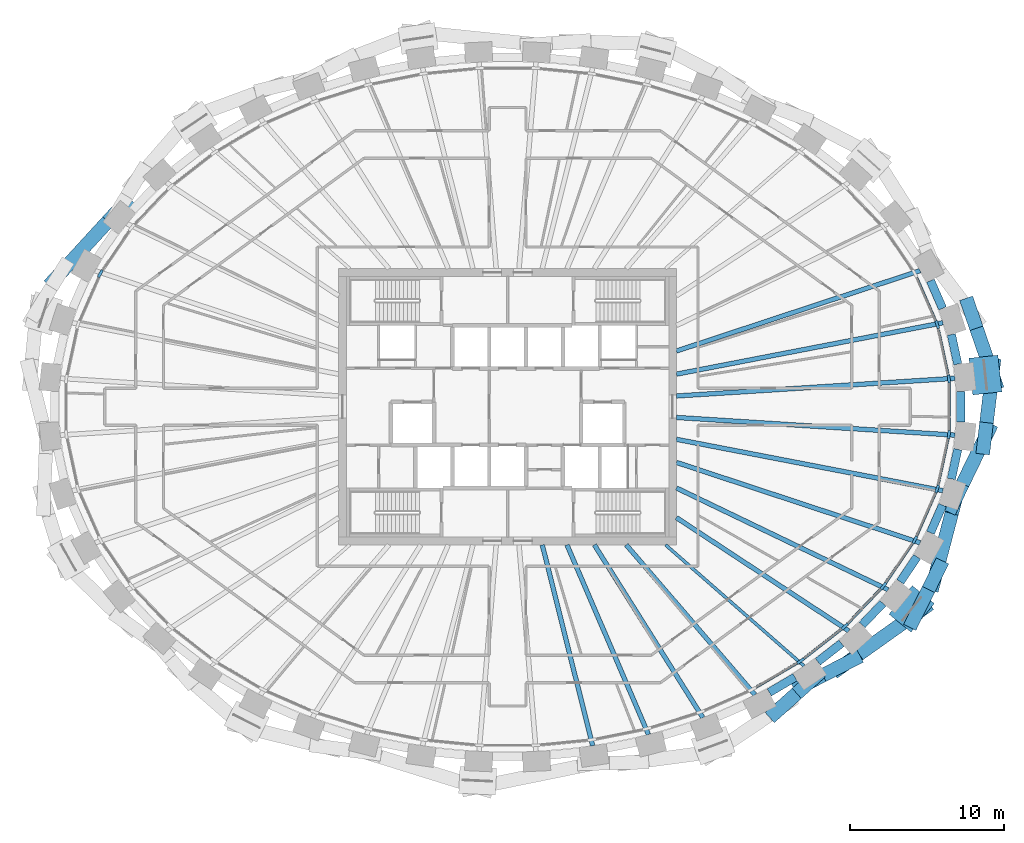
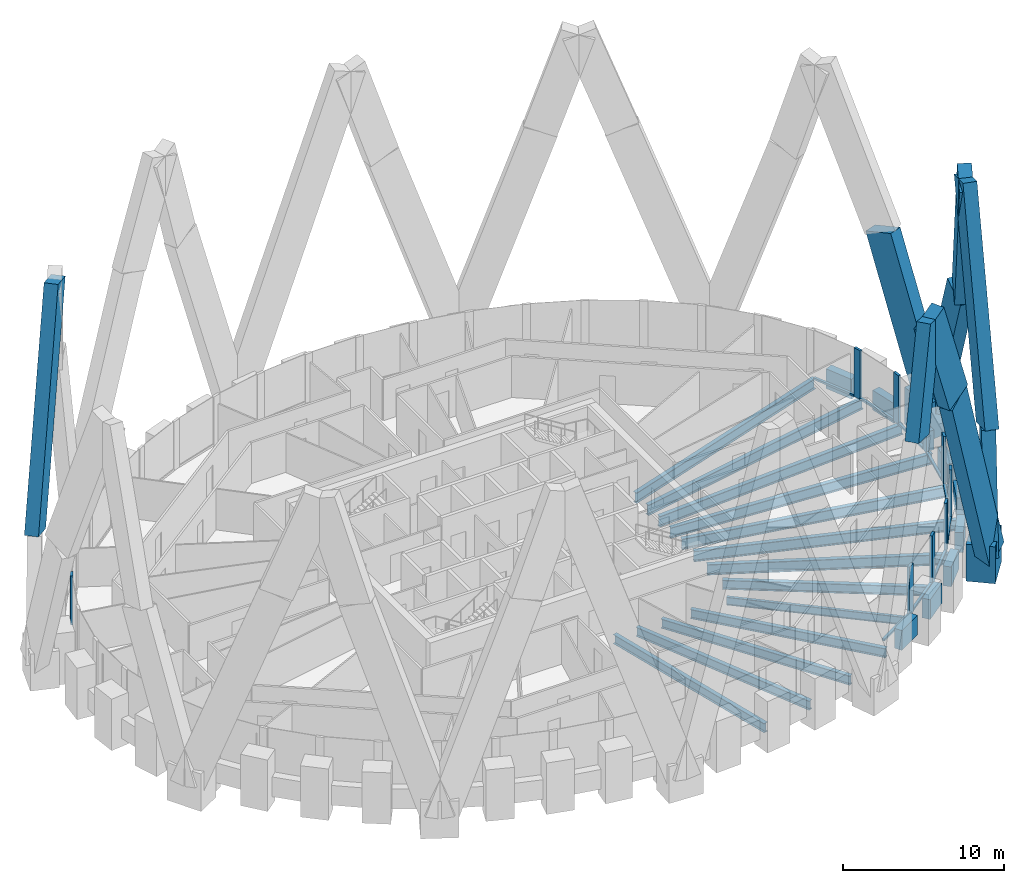
# One storey, part 3 of 13: 29 members, 22 beams, 1 element without a shape of its own.
"""IFC4 building model written with IfcOpenShell, lengths in metres."""

from ifc_helpers import new_model, si_unit, direction, frame, origin, origin_2d, place, context, subcontext, project, spatial, rectangle, i_section, extrude, source, transform, mapped, material, material_profile, profile_set, type_object, element, aggregate, save


model = new_model("IFC4")

# Units and contexts
model_context = context("Model", 3, precision=1e-05, world=origin(), true_north=direction((0.0, 1.0)))
body_context = subcontext(model_context, "Body", "Model", "MODEL_VIEW")
ifc_project = project(units=[si_unit("LENGTHUNIT", "METRE"), si_unit("AREAUNIT", "SQUARE_METRE"), si_unit("VOLUMEUNIT", "CUBIC_METRE"), si_unit("PLANEANGLEUNIT", "RADIAN"), si_unit("MASSUNIT", "GRAM", prefix="KILO")], contexts=[model_context])

# Site, building, storey
site_placement = place(None, origin())
site = spatial("IfcSite", under=ifc_project, at=site_placement, CompositionType="ELEMENT")
building_placement = place(site_placement, origin())
building = spatial("IfcBuilding", under=site, at=building_placement, Name="Embergate Tower", CompositionType="ELEMENT")
storey_placement = place(building_placement, frame((0.0, 0.0, 316.89990234375)))
storey = spatial("IfcBuildingStorey", under=building, at=storey_placement, Name="L74", CompositionType="ELEMENT", Elevation=316.89990234375)

# Beams
ifc_material_1 = material(Name="Concrete C50", Category="concrete")
ifc_material_profile_1 = material_profile(ifc_material_1, rectangle(XDim=0.550048828125, YDim=1.5, at=origin_2d()), Name="RC 550x1500")
ifc_profile_set_1 = profile_set([ifc_material_profile_1], Name="Concrete C50")
beam_type_1 = type_object("IfcBeamType", Name="Spandrel beam RC 550x1500 C50", PredefinedType="BEAM", material=ifc_profile_set_1)
shared_shape_1 = source(origin(), body_context, "Body", "SweptSolid", [
    extrude(rectangle(XDim=0.550048828125, YDim=1.5, at=origin_2d()), origin(), (0.0, 0.0, 1.0), 1.970947265625),
])
for number, where, z_axis, x_axis, name in (
    (1, (29.322998046875, 2.77587890625, 0.0), (-0.210078905476, 0.977684434505, 0.0), (-0.977684434505, -0.210078905476, 0.0), "SPN-L74-00"),
    (2, (28.908935546875, -4.702880859375, 0.0), (0.210078905476, 0.977684434505, 0.0), (-0.977684434505, 0.210078905476, 0.0), "SPN-L74-42"),
):
    element("IfcBeam", number, at=place(storey_placement, frame(where, z_axis=z_axis, x_axis=x_axis)), inside=storey, type_object=beam_type_1, Name=name, PredefinedType="BEAM", context=body_context, shape_type="MappedRepresentation", body=[
        mapped(shared_shape_1, transform((0.0, 0.0, 0.0))),
    ])
shared_shape_2 = source(origin(), body_context, "Body", "SweptSolid", [
    extrude(rectangle(XDim=0.550048828125, YDim=1.5, at=origin_2d()), origin(), (0.0, 0.0, 1.0), 1.96435546875),
])
for number, where, z_axis, x_axis, name in (
    (3, (28.3359375, 6.408935546875, 0.0), (-0.401555432353, 0.915834720213, 0.0), (-0.915834720213, -0.401555432353, 0.0), "SPN-L74-01"),
    (4, (27.547119140625, -8.2080078125, 0.0), (0.401555432353, 0.915834720213, 0.0), (-0.915834720213, 0.401555432353, 0.0), "SPN-L74-41"),
):
    element("IfcBeam", number, at=place(storey_placement, frame(where, z_axis=z_axis, x_axis=x_axis)), inside=storey, type_object=beam_type_1, Name=name, PredefinedType="BEAM", context=body_context, shape_type="MappedRepresentation", body=[
        mapped(shared_shape_2, transform((0.0, 0.0, 0.0))),
    ])
shared_shape_3 = source(origin(), body_context, "Body", "SweptSolid", [
    extrude(rectangle(XDim=0.550048828125, YDim=1.5, at=origin_2d()), origin(), (0.0, 0.0, 1.0), 1.960205078125),
])
beam_1_placement = place(storey_placement, frame((25.573974609375, -11.404052734375, 0.0), z_axis=(0.562207817231, 0.826995991674, 0.0), x_axis=(-0.826995991674, 0.562207817231, 0.0)))
element("IfcBeam", 5, at=beam_1_placement, inside=storey, type_object=beam_type_1, Name="SPN-L74-40", PredefinedType="BEAM", context=body_context, shape_type="MappedRepresentation", body=[
    mapped(shared_shape_3, transform((0.0, 0.0, 0.0))),
])
shared_shape_4 = source(origin(), body_context, "Body", "SweptSolid", [
    extrude(rectangle(XDim=0.550048828125, YDim=1.5, at=origin_2d()), origin(), (0.0, 0.0, 1.0), 1.955078125),
])
beam_2_placement = place(storey_placement, frame((23.093017578125, -14.218017578125, 0.0), z_axis=(0.690558902138, 0.723276159346, 0.0), x_axis=(-0.723276159346, 0.690558902138, 0.0)))
element("IfcBeam", 6, at=beam_2_placement, inside=storey, type_object=beam_type_1, Name="SPN-L74-39", PredefinedType="BEAM", context=body_context, shape_type="MappedRepresentation", body=[
    mapped(shared_shape_4, transform((0.0, 0.0, 0.0))),
])
shared_shape_5 = source(origin(), body_context, "Body", "SweptSolid", [
    extrude(rectangle(XDim=0.550048828125, YDim=1.5, at=origin_2d()), origin(), (0.0, 0.0, 1.0), 1.94873046875),
])
beam_3_placement = place(storey_placement, frame((20.2099609375, -16.611083984375, 0.0), z_axis=(0.78830540841, 0.615284148236, 0.0), x_axis=(-0.615284148236, 0.78830540841, 0.0)))
element("IfcBeam", 7, at=beam_3_placement, inside=storey, type_object=beam_type_1, Name="SPN-L74-38", PredefinedType="BEAM", context=body_context, shape_type="MappedRepresentation", body=[
    mapped(shared_shape_5, transform((0.0, 0.0, 0.0))),
])
shared_shape_6 = source(origin(), body_context, "Body", "SweptSolid", [
    extrude(rectangle(XDim=0.550048828125, YDim=1.5, at=origin_2d()), origin(), (0.0, 0.0, 1.0), 1.944580078125),
])
beam_4_placement = place(storey_placement, frame((17.044921875, -18.60888671875, 0.0), z_axis=(0.861947125599, 0.506998178174, 0.0), x_axis=(-0.506998178174, 0.861947125599, 0.0)))
element("IfcBeam", 8, at=beam_4_placement, inside=storey, type_object=beam_type_1, Name="SPN-L74-37", PredefinedType="BEAM", context=body_context, shape_type="MappedRepresentation", body=[
    mapped(shared_shape_6, transform((0.0, 0.0, 0.0))),
])
shared_shape_7 = source(origin(), body_context, "Body", "SweptSolid", [
    extrude(rectangle(XDim=0.550048828125, YDim=1.5, at=origin_2d()), origin(), (0.0, 0.0, 1.0), 1.97216796875),
])
beam_5_placement = place(storey_placement, frame((29.513916015625, -0.986083984375, 0.0), z_axis=(0.0, 1.0, 0.0), x_axis=(-1.0, 0.0, 0.0)))
element("IfcBeam", 9, at=beam_5_placement, inside=storey, type_object=beam_type_1, Name="SPN-L74-43", PredefinedType="BEAM", context=body_context, shape_type="MappedRepresentation", body=[
    mapped(shared_shape_7, transform((0.0, 0.0, 0.0))),
])
ifc_material_2 = material(Name="Steel Q355B", Category="steel")
ifc_material_profile_2 = material_profile(ifc_material_2, i_section(OverallWidth=0.300048828125, OverallDepth=0.800048828125, WebThickness=0.013916015625, FlangeThickness=0.02587890625, FilletRadius=0.028076171875, at=origin_2d()), Name="HN 800x300x14x26")
ifc_profile_set_2 = profile_set([ifc_material_profile_2], Name="Steel Q355 grade B")
beam_type_2 = type_object("IfcBeamType", Name="Radial girder HN 800x300x14x26", PredefinedType="BEAM", material=ifc_profile_set_2)
shared_shape_8 = source(origin(), body_context, "Body", "SweptSolid", [
    extrude(i_section(OverallWidth=0.300048828125, OverallDepth=0.800048828125, WebThickness=0.013916015625, FlangeThickness=0.02587890625, FilletRadius=0.028076171875, at=origin_2d()), origin(), (0.0, 0.0, 1.0), 18.175537109375),
])
for number, where, z_axis, x_axis, name in (
    (10, (29.138916015625, 1.85107421875, -0.599853515625), (-0.997988982715, -0.063387620085, 0.0), (0.063387620085, -0.997988982715, 0.0), "GIR-L74-00"),
    (11, (29.138916015625, -1.85107421875, -0.599853515625), (-0.997988982715, 0.063387620085, 0.0), (-0.063387620085, -0.997988982715, 0.0), "GIR-L74-43"),
):
    element("IfcBeam", number, at=place(storey_placement, frame(where, z_axis=z_axis, x_axis=x_axis)), inside=storey, type_object=beam_type_2, Name=name, PredefinedType="BEAM", context=body_context, shape_type="MappedRepresentation", body=[
        mapped(shared_shape_8, transform((0.0, 0.0, 0.0))),
    ])
shared_shape_9 = source(origin(), body_context, "Body", "SweptSolid", [
    extrude(i_section(OverallWidth=0.300048828125, OverallDepth=0.800048828125, WebThickness=0.013916015625, FlangeThickness=0.02587890625, FilletRadius=0.028076171875, at=origin_2d()), origin(), (0.0, 0.0, 1.0), 17.68017578125),
])
for number, where, z_axis, x_axis, name in (
    (12, (28.360107421875, 5.470947265625, -0.599853515625), (-0.981897251482, -0.189414327683, 0.0), (0.189414327683, -0.981897251482, 0.0), "GIR-L74-01"),
    (13, (28.360107421875, -5.470947265625, -0.599853515625), (-0.981897251482, 0.189414327683, 0.0), (-0.189414327683, -0.981897251482, 0.0), "GIR-L74-42"),
):
    element("IfcBeam", number, at=place(storey_placement, frame(where, z_axis=z_axis, x_axis=x_axis)), inside=storey, type_object=beam_type_2, Name=name, PredefinedType="BEAM", context=body_context, shape_type="MappedRepresentation", body=[
        mapped(shared_shape_9, transform((0.0, 0.0, 0.0))),
    ])
shared_shape_10 = source(origin(), body_context, "Body", "SweptSolid", [
    extrude(i_section(OverallWidth=0.300048828125, OverallDepth=0.800048828125, WebThickness=0.013916015625, FlangeThickness=0.02587890625, FilletRadius=0.028076171875, at=origin_2d()), origin(), (0.0, 0.0, 1.0), 16.713134765625),
])
for number, where, z_axis, x_axis, name in (
    (14, (26.8720703125, 8.863037109375, -0.599853515625), (-0.949676282781, -0.313233072843, 0.0), (0.313233072843, -0.949676282781, 0.0), "GIR-L74-02"),
    (15, (26.8720703125, -8.863037109375, -0.599853515625), (-0.949676282781, 0.313233072843, 0.0), (-0.313233072843, -0.949676282781, 0.0), "GIR-L74-41"),
):
    element("IfcBeam", number, at=place(storey_placement, frame(where, z_axis=z_axis, x_axis=x_axis)), inside=storey, type_object=beam_type_2, Name=name, PredefinedType="BEAM", context=body_context, shape_type="MappedRepresentation", body=[
        mapped(shared_shape_10, transform((0.0, 0.0, 0.0))),
    ])
shared_shape_11 = source(origin(), body_context, "Body", "SweptSolid", [
    extrude(i_section(OverallWidth=0.300048828125, OverallDepth=0.800048828125, WebThickness=0.013916015625, FlangeThickness=0.02587890625, FilletRadius=0.028076171875, at=origin_2d()), origin(), (0.0, 0.0, 1.0), 15.302734375),
])
beam_6_placement = place(storey_placement, frame((24.7900390625, -11.926025390625, -0.599853515625), z_axis=(-0.901145046511, 0.433517710305, 0.0), x_axis=(-0.433517710305, -0.901145046511, 0.0)))
element("IfcBeam", 16, at=beam_6_placement, inside=storey, type_object=beam_type_2, Name="GIR-L74-40", PredefinedType="BEAM", context=body_context, shape_type="MappedRepresentation", body=[
    mapped(shared_shape_11, transform((0.0, 0.0, 0.0))),
])
ifc_material_profile_3 = material_profile(ifc_material_2, i_section(OverallWidth=0.300048828125, OverallDepth=0.699951171875, WebThickness=0.012939453125, FlangeThickness=0.02392578125, FilletRadius=0.01806640625, at=origin_2d()), Name="HN 700x300x13x24")
ifc_profile_set_3 = profile_set([ifc_material_profile_3], Name="Steel Q355 grade B")
beam_type_3 = type_object("IfcBeamType", Name="Radial girder HN 700x300x13x24", PredefinedType="BEAM", material=ifc_profile_set_3)
shared_shape_12 = source(origin(), body_context, "Body", "SweptSolid", [
    extrude(i_section(OverallWidth=0.300048828125, OverallDepth=0.699951171875, WebThickness=0.012939453125, FlangeThickness=0.02392578125, FilletRadius=0.01806640625, at=origin_2d()), origin(), (0.0, 0.0, 1.0), 13.439453125),
])
beam_7_placement = place(storey_placement, frame((22.23193359375, -14.60693359375, -0.5498046875), z_axis=(-0.835743114623, 0.549120611851, 0.0), x_axis=(-0.549120611851, -0.835743114623, 0.0)))
element("IfcBeam", 17, at=beam_7_placement, inside=storey, type_object=beam_type_3, Name="GIR-L74-39", PredefinedType="BEAM", context=body_context, shape_type="MappedRepresentation", body=[
    mapped(shared_shape_12, transform((0.0, 0.0, 0.0))),
])
ifc_material_profile_4 = material_profile(ifc_material_2, i_section(OverallWidth=0.199951171875, OverallDepth=0.60009765625, WebThickness=0.010986328125, FlangeThickness=0.01708984375, FilletRadius=0.012939453125, at=origin_2d()), Name="HN 600x200x11x17")
ifc_profile_set_4 = profile_set([ifc_material_profile_4], Name="Steel Q355 grade B")
beam_type_4 = type_object("IfcBeamType", Name="Radial girder HN 600x200x11x17", PredefinedType="BEAM", material=ifc_profile_set_4)
shared_shape_13 = source(origin(), body_context, "Body", "SweptSolid", [
    extrude(i_section(OverallWidth=0.199951171875, OverallDepth=0.60009765625, WebThickness=0.010986328125, FlangeThickness=0.01708984375, FilletRadius=0.012939453125, at=origin_2d()), origin(), (0.0, 0.0, 1.0), 11.982421875),
])
beam_8_placement = place(storey_placement, frame((19.31103515625, -16.887939453125, -0.5), z_axis=(-0.752765986621, 0.65828821149, 0.0), x_axis=(-0.65828821149, -0.752765986621, 0.0)))
element("IfcBeam", 18, at=beam_8_placement, inside=storey, type_object=beam_type_4, Name="GIR-L74-38", PredefinedType="BEAM", context=body_context, shape_type="MappedRepresentation", body=[
    mapped(shared_shape_13, transform((0.0, 0.0, 0.0))),
])
shared_shape_14 = source(origin(), body_context, "Body", "SweptSolid", [
    extrude(i_section(OverallWidth=0.300048828125, OverallDepth=0.699951171875, WebThickness=0.012939453125, FlangeThickness=0.02392578125, FilletRadius=0.01806640625, at=origin_2d()), origin(), (0.0, 0.0, 1.0), 12.873779296875),
])
beam_9_placement = place(storey_placement, frame((16.115966796875, -18.76708984375, -0.5498046875), z_axis=(-0.65147047054, 0.758673991919, 0.0), x_axis=(-0.758673991919, -0.65147047054, 0.0)))
element("IfcBeam", 19, at=beam_9_placement, inside=storey, type_object=beam_type_3, Name="GIR-L74-37", PredefinedType="BEAM", context=body_context, shape_type="MappedRepresentation", body=[
    mapped(shared_shape_14, transform((0.0, 0.0, 0.0))),
])
shared_shape_15 = source(origin(), body_context, "Body", "SweptSolid", [
    extrude(i_section(OverallWidth=0.300048828125, OverallDepth=0.699951171875, WebThickness=0.012939453125, FlangeThickness=0.02392578125, FilletRadius=0.01806640625, at=origin_2d()), origin(), (0.0, 0.0, 1.0), 13.287109375),
])
beam_10_placement = place(storey_placement, frame((12.718994140625, -20.251953125, -0.5498046875), z_axis=(-0.531860684771, 0.846831867607, 0.0), x_axis=(-0.846831867607, -0.531860684771, 0.0)))
element("IfcBeam", 20, at=beam_10_placement, inside=storey, type_object=beam_type_3, Name="GIR-L74-36", PredefinedType="BEAM", context=body_context, shape_type="MappedRepresentation", body=[
    mapped(shared_shape_15, transform((0.0, 0.0, 0.0))),
])
shared_shape_16 = source(origin(), body_context, "Body", "SweptSolid", [
    extrude(i_section(OverallWidth=0.300048828125, OverallDepth=0.699951171875, WebThickness=0.012939453125, FlangeThickness=0.02392578125, FilletRadius=0.01806640625, at=origin_2d()), origin(), (0.0, 0.0, 1.0), 13.44677734375),
])
beam_11_placement = place(storey_placement, frame((9.178955078125, -21.35400390625, -0.5498046875), z_axis=(-0.39489198658, 0.918727554248, 0.0), x_axis=(-0.918727554248, -0.39489198658, 0.0)))
element("IfcBeam", 21, at=beam_11_placement, inside=storey, type_object=beam_type_3, Name="GIR-L74-35", PredefinedType="BEAM", context=body_context, shape_type="MappedRepresentation", body=[
    mapped(shared_shape_16, transform((0.0, 0.0, 0.0))),
])
shared_shape_17 = source(origin(), body_context, "Body", "SweptSolid", [
    extrude(i_section(OverallWidth=0.300048828125, OverallDepth=0.699951171875, WebThickness=0.012939453125, FlangeThickness=0.02392578125, FilletRadius=0.01806640625, at=origin_2d()), origin(), (0.0, 0.0, 1.0), 13.48876953125),
])
beam_12_placement = place(storey_placement, frame((5.54296875, -22.0830078125, -0.5498046875), z_axis=(-0.243455392771, 0.969912094847, 0.0), x_axis=(-0.969912094847, -0.243455392771, 0.0)))
element("IfcBeam", 22, at=beam_12_placement, inside=storey, type_object=beam_type_3, Name="GIR-L74-34", PredefinedType="BEAM", context=body_context, shape_type="MappedRepresentation", body=[
    mapped(shared_shape_17, transform((0.0, 0.0, 0.0))),
])

# Members
ifc_material_3 = material(Name="Concrete C70", Category="concrete")
ifc_material_profile_5 = material_profile(ifc_material_3, rectangle(XDim=1.89990234375, YDim=2.39990234375, at=origin_2d()), Name="RC 1900x2400")
ifc_profile_set_5 = profile_set([ifc_material_profile_5], Name="Concrete C70")
member_type_1 = type_object("IfcMemberType", Name="Lattice node block RC 1900x2400", PredefinedType="POST", material=ifc_profile_set_5)
shared_shape_18 = source(origin(), body_context, "Body", "SweptSolid", [
    extrude(rectangle(XDim=1.89990234375, YDim=2.39990234375, at=origin_2d()), origin(), (0.0, 0.0, 1.0), 2.800048828125),
])
member_1_placement = place(storey_placement, frame((31.126953125, 2.06494140625, -1.39990234375), z_axis=(0.0, 0.0, 1.0), x_axis=(0.99428589498, 0.106749983816, 0.0)))
element("IfcMember", 23, at=member_1_placement, inside=storey, type_object=member_type_1, Name="NOD-L74-00", PredefinedType="POST", context=body_context, shape_type="MappedRepresentation", body=[
    mapped(shared_shape_18, transform((0.0, 0.0, 0.0))),
])
ifc_material_profile_6 = material_profile(ifc_material_3, rectangle(XDim=1.85009765625, YDim=2.39990234375, at=origin_2d()), Name="RC 1850x2400")
ifc_profile_set_6 = profile_set([ifc_material_profile_6], Name="Concrete C70")
member_type_2 = type_object("IfcMemberType", Name="Lattice node block RC 1850x2400", PredefinedType="POST", material=ifc_profile_set_6)
shared_shape_19 = source(origin(), body_context, "Body", "SweptSolid", [
    extrude(rectangle(XDim=1.85009765625, YDim=2.39990234375, at=origin_2d()), origin(), (0.0, 0.0, 1.0), 2.800048828125),
])
member_2_placement = place(storey_placement, frame((26.322021484375, -13.1708984375, -1.39990234375), z_axis=(0.0, 0.0, 1.0), x_axis=(0.775925311702, -0.630824786022, 0.0)))
element("IfcMember", 24, at=member_2_placement, inside=storey, type_object=member_type_2, Name="NOD-L74-40", PredefinedType="POST", context=body_context, shape_type="MappedRepresentation", body=[
    mapped(shared_shape_19, transform((0.0, 0.0, 0.0))),
])
ifc_material_profile_7 = material_profile(ifc_material_3, rectangle(XDim=0.89990234375, YDim=2.199951171875, at=origin_2d()), Name="RC 900x2200")
ifc_profile_set_7 = profile_set([ifc_material_profile_7], Name="Concrete C70")
member_type_3 = type_object("IfcMemberType", Name="Lattice diagonal terracotta-faced RC 900x2200", PredefinedType="BRACE", material=ifc_profile_set_7)
shared_shape_20 = source(origin(), body_context, "Body", "SweptSolid", [
    extrude(rectangle(XDim=0.89990234375, YDim=2.199951171875, at=origin_2d()), origin(), (0.0, 0.0, 1.0), 12.291015625),
])
member_3_placement = place(storey_placement, frame((31.576904296875, 2.113037109375, 0.0), z_axis=(-0.111295228751, 0.323318300622, 0.939722644476), x_axis=(-0.945547551062, -0.325483991436, 0.0)))
element("IfcMember", 25, at=member_3_placement, inside=storey, type_object=member_type_3, Name="BRC-L74-00-02-S00", PredefinedType="BRACE", context=body_context, shape_type="MappedRepresentation", body=[
    mapped(shared_shape_20, transform((0.0, 0.0, 0.0))),
])
shared_shape_21 = source(origin(), body_context, "Body", "SweptSolid", [
    extrude(rectangle(XDim=0.89990234375, YDim=2.199951171875, at=origin_2d()), origin(), (0.0, 0.0, 1.0), 12.2919921875),
])
member_4_placement = place(storey_placement, frame((31.576904296875, 2.113037109375, 0.0), z_axis=(-0.040676923306, -0.339735729074, 0.939640900717), x_axis=(0.992908391143, -0.11888198685, 0.0)))
element("IfcMember", 26, at=member_4_placement, inside=storey, type_object=member_type_3, Name="BRC-L74-00-42-S00", PredefinedType="BRACE", context=body_context, shape_type="MappedRepresentation", body=[
    mapped(shared_shape_21, transform((0.0, 0.0, 0.0))),
])
shared_shape_22 = source(origin(), body_context, "Body", "SweptSolid", [
    extrude(rectangle(XDim=0.89990234375, YDim=2.199951171875, at=origin_2d()), origin(), (0.0, 0.0, 1.0), 12.33056640625),
])
member_5_placement = place(storey_placement, frame((31.076904296875, -2.06298828125, 11.550048828125), z_axis=(-0.15269520948, -0.315072467383, 0.936703535437), x_axis=(0.899889438496, -0.436118101532, 0.0)))
element("IfcMember", 27, at=member_5_placement, inside=storey, type_object=member_type_3, Name="BRC-L74-00-42-S01", PredefinedType="BRACE", context=body_context, shape_type="MappedRepresentation", body=[
    mapped(shared_shape_22, transform((0.0, 0.0, 0.0))),
])
shared_shape_23 = source(origin(), body_context, "Body", "SweptSolid", [
    extrude(rectangle(XDim=0.89990234375, YDim=2.199951171875, at=origin_2d()), origin(), (0.0, 0.0, 1.0), 16.312255859375),
])
member_6_placement = place(storey_placement, frame((-29.172119140625, 8.658935546875, 7.800048828125), z_axis=(0.234303702614, 0.255646218099, 0.937948178799), x_axis=(-0.7372096752, 0.675664039884, 0.0)))
element("IfcMember", 28, at=member_6_placement, inside=storey, type_object=member_type_3, Name="BRC-L74-20-18-S01", PredefinedType="BRACE", context=body_context, shape_type="MappedRepresentation", body=[
    mapped(shared_shape_23, transform((0.0, 0.0, 0.0))),
])
shared_shape_24 = source(origin(), body_context, "Body", "SweptSolid", [
    extrude(rectangle(XDim=0.89990234375, YDim=2.199951171875, at=origin_2d()), origin(), (0.0, 0.0, 1.0), 7.863037109375),
])
member_7_placement = place(storey_placement, frame((17.85888671875, -19.552001953125, 15.60009765625), z_axis=(0.223708419751, 0.200421630741, 0.953826877826), x_axis=(-0.667278190689, 0.744808576904, 0.0)))
element("IfcMember", 29, at=member_7_placement, inside=storey, type_object=member_type_3, Name="BRC-L74-36-38-S01", PredefinedType="BRACE", context=body_context, shape_type="MappedRepresentation", body=[
    mapped(shared_shape_24, transform((0.0, 0.0, 0.0))),
])
shared_shape_25 = source(origin(), body_context, "Body", "SweptSolid", [
    extrude(rectangle(XDim=0.89990234375, YDim=2.199951171875, at=origin_2d()), origin(), (0.0, 0.0, 1.0), 16.591552734375),
])
member_8_placement = place(storey_placement, frame((26.656982421875, -13.444091796875, 0.0), z_axis=(-0.27749141125, -0.197325263807, 0.940245317428), x_axis=(0.579519959464, -0.814958045904, 0.0)))
element("IfcMember", 30, at=member_8_placement, inside=storey, type_object=member_type_3, Name="BRC-L74-40-38-S00", PredefinedType="BRACE", context=body_context, shape_type="MappedRepresentation", body=[
    mapped(shared_shape_25, transform((0.0, 0.0, 0.0))),
])
shared_shape_26 = source(origin(), body_context, "Body", "SweptSolid", [
    extrude(rectangle(XDim=0.89990234375, YDim=2.199951171875, at=origin_2d()), origin(), (0.0, 0.0, 1.0), 7.985107421875),
])
member_9_placement = place(storey_placement, frame((22.052978515625, -16.718017578125, 15.60009765625), z_axis=(-0.304949349917, -0.157550030091, 0.9392464437), x_axis=(0.459003646837, -0.888434382603, 0.0)))
element("IfcMember", 31, at=member_9_placement, inside=storey, type_object=member_type_3, Name="BRC-L74-40-38-S01", PredefinedType="BRACE", context=body_context, shape_type="MappedRepresentation", body=[
    mapped(shared_shape_26, transform((0.0, 0.0, 0.0))),
])
shared_shape_27 = source(origin(), body_context, "Body", "SweptSolid", [
    extrude(rectangle(XDim=0.89990234375, YDim=2.199951171875, at=origin_2d()), origin(), (0.0, 0.0, 1.0), 8.272216796875),
])
member_10_placement = place(storey_placement, frame((26.656982421875, -13.444091796875, 0.0), z_axis=(0.147477790259, 0.298585712238, 0.942919335801), x_axis=(-0.896596683506, 0.442848040672, 0.0)))
element("IfcMember", 32, at=member_10_placement, inside=storey, type_object=member_type_3, Name="BRC-L74-40-42-S00", PredefinedType="BRACE", context=body_context, shape_type="MappedRepresentation", body=[
    mapped(shared_shape_27, transform((0.0, 0.0, 0.0))),
])
shared_shape_28 = source(origin(), body_context, "Body", "SweptSolid", [
    extrude(rectangle(XDim=0.89990234375, YDim=2.199951171875, at=origin_2d()), origin(), (0.0, 0.0, 1.0), 16.158203125),
])
member_11_placement = place(storey_placement, frame((27.876953125, -10.97412109375, 7.800048828125), z_axis=(0.081515055391, 0.311056616375, 0.946889157797), x_axis=(-0.967335744923, 0.253498632334, 0.0)))
element("IfcMember", 33, at=member_11_placement, inside=storey, type_object=member_type_3, Name="BRC-L74-40-42-S01", PredefinedType="BRACE", context=body_context, shape_type="MappedRepresentation", body=[
    mapped(shared_shape_28, transform((0.0, 0.0, 0.0))),
])

# Curtain wall, members
ifc_material_4 = material(Name="Aluminium and glass", Category="aluminium")
curtain_wall_type = type_object("IfcCurtainWallType", Name="Recessed office glazing", PredefinedType="NOTDEFINED", material=ifc_material_4)
curtain_wall_placement = place(storey_placement, origin())
curtain_wall = element("IfcCurtainWall", 34, at=curtain_wall_placement, inside=storey, type_object=curtain_wall_type, Name="Recessed office glazing ring", ObjectType="RECESSED OFFICE GLAZING", PredefinedType="USERDEFINED")
ifc_material_5 = material(Name="Aluminium, thermally broken", Category="aluminium")
ifc_material_profile_8 = material_profile(ifc_material_5, rectangle(XDim=0.179931640625, YDim=0.52001953125, at=origin_2d()), Name="AL 520x180")
ifc_profile_set_8 = profile_set([ifc_material_profile_8], Name="Aluminium, thermally broken")
member_type_4 = type_object("IfcMemberType", Name="Office mullion", PredefinedType="MULLION", material=ifc_profile_set_8)
shared_shape_29 = source(origin(), body_context, "Body", "SweptSolid", [
    extrude(rectangle(XDim=0.179931640625, YDim=0.52001953125, at=origin_2d()), origin(), (0.0, 0.0, 1.0), 3.7001953125),
])
member_12_placement = place(storey_placement, frame((28.7509765625, 1.809326171875, 0.0), z_axis=(0.0, 0.0, 1.0), x_axis=(-0.994384031216, -0.105831934987, 0.0)))
member_12 = element("IfcMember", 35, at=member_12_placement, type_object=member_type_4, Name="CW mullion 1", PredefinedType="MULLION", context=body_context, shape_type="MappedRepresentation", body=[
    mapped(shared_shape_29, transform((0.0, 0.0, 0.0))),
])
member_13_placement = place(storey_placement, frame((27.989013671875, 5.349853515625, 0.0), z_axis=(0.0, 0.0, 1.0), x_axis=(-0.951491891254, -0.307673822216, 0.0)))
member_13 = element("IfcMember", 36, at=member_13_placement, type_object=member_type_4, Name="CW mullion 2", PredefinedType="MULLION", context=body_context, shape_type="MappedRepresentation", body=[
    mapped(shared_shape_29, transform((0.0, 0.0, 0.0))),
])
member_14_placement = place(storey_placement, frame((-26.53173828125, 8.67236328125, 0.0), z_axis=(0.0, 0.0, 1.0), x_axis=(0.874991756265, -0.484137817639, 0.0)))
member_14 = element("IfcMember", 37, at=member_14_placement, type_object=member_type_4, Name="CW mullion 20", PredefinedType="MULLION", context=body_context, shape_type="MappedRepresentation", body=[
    mapped(shared_shape_29, transform((0.0, 0.0, 0.0))),
])
member_15_placement = place(storey_placement, frame((19.092041015625, -16.564697265625, 0.0), z_axis=(0.0, 0.0, 1.0), x_axis=(-0.562210401679, 0.82699423471, 0.0)))
member_15 = element("IfcMember", 38, at=member_15_placement, type_object=member_type_4, Name="CW mullion 39", PredefinedType="MULLION", context=body_context, shape_type="MappedRepresentation", body=[
    mapped(shared_shape_29, transform((0.0, 0.0, 0.0))),
])
member_16_placement = place(storey_placement, frame((21.97119140625, -14.3173828125, 0.0), z_axis=(0.0, 0.0, 1.0), x_axis=(-0.671217477801, 0.741260478843, 0.0)))
member_16 = element("IfcMember", 39, at=member_16_placement, type_object=member_type_4, Name="CW mullion 40", PredefinedType="MULLION", context=body_context, shape_type="MappedRepresentation", body=[
    mapped(shared_shape_29, transform((0.0, 0.0, 0.0))),
])
member_17_placement = place(storey_placement, frame((24.48681640625, -11.6796875, 0.0), z_axis=(0.0, 0.0, 1.0), x_axis=(-0.777861596203, 0.628435626897, 0.0)))
member_17 = element("IfcMember", 40, at=member_17_placement, type_object=member_type_4, Name="CW mullion 41", PredefinedType="MULLION", context=body_context, shape_type="MappedRepresentation", body=[
    mapped(shared_shape_29, transform((0.0, 0.0, 0.0))),
])
member_18_placement = place(storey_placement, frame((26.53173828125, -8.67236328125, 0.0), z_axis=(0.0, 0.0, 1.0), x_axis=(-0.874991756265, 0.484137817639, 0.0)))
member_18 = element("IfcMember", 41, at=member_18_placement, type_object=member_type_4, Name="CW mullion 42", PredefinedType="MULLION", context=body_context, shape_type="MappedRepresentation", body=[
    mapped(shared_shape_29, transform((0.0, 0.0, 0.0))),
])
member_19_placement = place(storey_placement, frame((27.989013671875, -5.349853515625, 0.0), z_axis=(0.0, 0.0, 1.0), x_axis=(-0.951491891254, 0.307673822216, 0.0)))
member_19 = element("IfcMember", 42, at=member_19_placement, type_object=member_type_4, Name="CW mullion 43", PredefinedType="MULLION", context=body_context, shape_type="MappedRepresentation", body=[
    mapped(shared_shape_29, transform((0.0, 0.0, 0.0))),
])
member_20_placement = place(storey_placement, frame((28.7509765625, -1.809326171875, 0.0), z_axis=(0.0, 0.0, 1.0), x_axis=(-0.994384031216, 0.105831934987, 0.0)))
member_20 = element("IfcMember", 43, at=member_20_placement, type_object=member_type_4, Name="CW mullion 44", PredefinedType="MULLION", context=body_context, shape_type="MappedRepresentation", body=[
    mapped(shared_shape_29, transform((0.0, 0.0, 0.0))),
])
ifc_material_profile_9 = material_profile(ifc_material_5, rectangle(XDim=0.179931640625, YDim=0.14990234375, at=origin_2d()), Name="AL 150x180")
ifc_profile_set_9 = profile_set([ifc_material_profile_9], Name="Aluminium, thermally broken")
member_type_5 = type_object("IfcMemberType", Name="Office sill transom", PredefinedType="USERDEFINED", material=ifc_profile_set_9)
shared_shape_30 = source(origin(), body_context, "Body", "SweptSolid", [
    extrude(rectangle(XDim=0.179931640625, YDim=0.14990234375, at=origin_2d()), origin(), (0.0, 0.0, 1.0), 3.101318359375),
])
member_21_placement = place(storey_placement, frame((28.6962890625, 2.063720703125, 0.0751953125), z_axis=(-0.210416031857, 0.97761193402, 0.0), x_axis=(-0.97761193402, -0.210416031857, 0.0)))
member_21 = element("IfcMember", 44, at=member_21_placement, type_object=member_type_5, Name="CW transom 1.1", ObjectType="TRANSOM", PredefinedType="USERDEFINED", context=body_context, shape_type="MappedRepresentation", body=[
    mapped(shared_shape_30, transform((0.0, 0.0, 0.0))),
])
member_22_placement = place(storey_placement, frame((28.043701171875, -5.095703125, 0.0751953125), z_axis=(0.210416031857, 0.97761193402, 0.0), x_axis=(-0.97761193402, 0.210416031857, 0.0)))
member_22 = element("IfcMember", 45, at=member_22_placement, type_object=member_type_5, Name="CW transom 43.1", ObjectType="TRANSOM", PredefinedType="USERDEFINED", context=body_context, shape_type="MappedRepresentation", body=[
    mapped(shared_shape_30, transform((0.0, 0.0, 0.0))),
])
shared_shape_31 = source(origin(), body_context, "Body", "SweptSolid", [
    extrude(rectangle(XDim=0.179931640625, YDim=0.14990234375, at=origin_2d()), origin(), (0.0, 0.0, 1.0), 3.108154296875),
])
member_23_placement = place(storey_placement, frame((27.884765625, 5.587890625, 0.0751953125), z_axis=(-0.401688075914, 0.915776550075, 0.0), x_axis=(-0.915776550075, -0.401688075914, 0.0)))
member_23 = element("IfcMember", 46, at=member_23_placement, type_object=member_type_5, Name="CW transom 2.1", ObjectType="TRANSOM", PredefinedType="USERDEFINED", context=body_context, shape_type="MappedRepresentation", body=[
    mapped(shared_shape_31, transform((0.0, 0.0, 0.0))),
])
member_24_placement = place(storey_placement, frame((26.63623046875, -8.434326171875, 0.0751953125), z_axis=(0.401688075914, 0.915776550075, 0.0), x_axis=(-0.915776550075, 0.401688075914, 0.0)))
member_24 = element("IfcMember", 47, at=member_24_placement, type_object=member_type_5, Name="CW transom 42.1", ObjectType="TRANSOM", PredefinedType="USERDEFINED", context=body_context, shape_type="MappedRepresentation", body=[
    mapped(shared_shape_31, transform((0.0, 0.0, 0.0))),
])
shared_shape_32 = source(origin(), body_context, "Body", "SweptSolid", [
    extrude(rectangle(XDim=0.179931640625, YDim=0.14990234375, at=origin_2d()), origin(), (0.0, 0.0, 1.0), 3.116455078125),
])
member_25_placement = place(storey_placement, frame((24.633056640625, -11.464599609375, 0.0751953125), z_axis=(0.562305735985, 0.826929416141, 0.0), x_axis=(-0.826929416141, 0.562305735985, 0.0)))
member_25 = element("IfcMember", 48, at=member_25_placement, type_object=member_type_5, Name="CW transom 41.1", ObjectType="TRANSOM", PredefinedType="USERDEFINED", context=body_context, shape_type="MappedRepresentation", body=[
    mapped(shared_shape_32, transform((0.0, 0.0, 0.0))),
])
shared_shape_33 = source(origin(), body_context, "Body", "SweptSolid", [
    extrude(rectangle(XDim=0.179931640625, YDim=0.14990234375, at=origin_2d()), origin(), (0.0, 0.0, 1.0), 3.125244140625),
])
member_26_placement = place(storey_placement, frame((22.150634765625, -14.12939453125, 0.0751953125), z_axis=(0.69011149361, 0.723703065067, 0.0), x_axis=(-0.723703065067, 0.69011149361, 0.0)))
member_26 = element("IfcMember", 49, at=member_26_placement, type_object=member_type_5, Name="CW transom 40.1", ObjectType="TRANSOM", PredefinedType="USERDEFINED", context=body_context, shape_type="MappedRepresentation", body=[
    mapped(shared_shape_33, transform((0.0, 0.0, 0.0))),
])
shared_shape_34 = source(origin(), body_context, "Body", "SweptSolid", [
    extrude(rectangle(XDim=0.179931640625, YDim=0.14990234375, at=origin_2d()), origin(), (0.0, 0.0, 1.0), 3.132080078125),
])
member_27_placement = place(storey_placement, frame((19.297119140625, -16.404541015625, 0.0751953125), z_axis=(0.788280741955, 0.615315749727, 0.0), x_axis=(-0.615315749727, 0.788280741955, 0.0)))
member_27 = element("IfcMember", 50, at=member_27_placement, type_object=member_type_5, Name="CW transom 39.1", ObjectType="TRANSOM", PredefinedType="USERDEFINED", context=body_context, shape_type="MappedRepresentation", body=[
    mapped(shared_shape_34, transform((0.0, 0.0, 0.0))),
])
shared_shape_35 = source(origin(), body_context, "Body", "SweptSolid", [
    extrude(rectangle(XDim=0.179931640625, YDim=0.14990234375, at=origin_2d()), origin(), (0.0, 0.0, 1.0), 3.13818359375),
])
member_28_placement = place(storey_placement, frame((16.16259765625, -18.286865234375, 0.0751953125), z_axis=(0.862044187524, 0.506833127129, 0.0), x_axis=(-0.506833127129, 0.862044187524, 0.0)))
member_28 = element("IfcMember", 51, at=member_28_placement, type_object=member_type_5, Name="CW transom 38.1", ObjectType="TRANSOM", PredefinedType="USERDEFINED", context=body_context, shape_type="MappedRepresentation", body=[
    mapped(shared_shape_35, transform((0.0, 0.0, 0.0))),
])
shared_shape_36 = source(origin(), body_context, "Body", "SweptSolid", [
    extrude(rectangle(XDim=0.179931640625, YDim=0.14990234375, at=origin_2d()), origin(), (0.0, 0.0, 1.0), 3.0986328125),
])
member_29_placement = place(storey_placement, frame((28.7509765625, -1.54931640625, 0.0751953125), z_axis=(0.0, 1.0, 0.0), x_axis=(-1.0, 0.0, 0.0)))
member_29 = element("IfcMember", 52, at=member_29_placement, type_object=member_type_5, Name="CW transom 44.1", ObjectType="TRANSOM", PredefinedType="USERDEFINED", context=body_context, shape_type="MappedRepresentation", body=[
    mapped(shared_shape_36, transform((0.0, 0.0, 0.0))),
])
aggregate(curtain_wall, [member_12, member_13, member_14, member_15, member_16, member_17, member_18, member_19, member_20, member_21, member_23, member_28, member_27, member_26, member_25, member_24, member_22, member_29])

save(model, "model.ifc")
